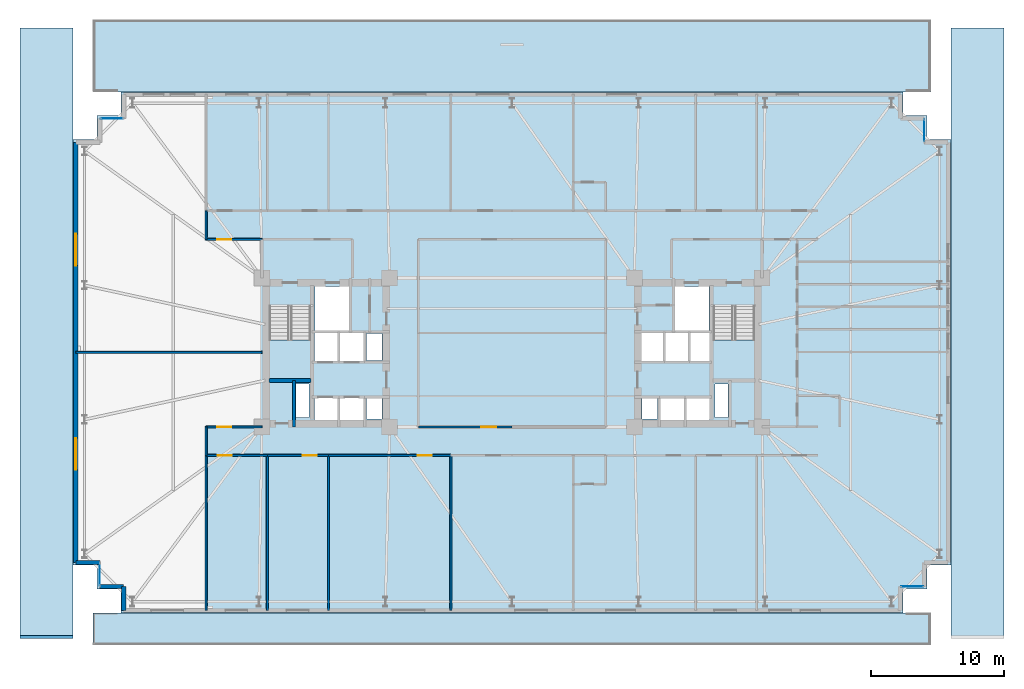
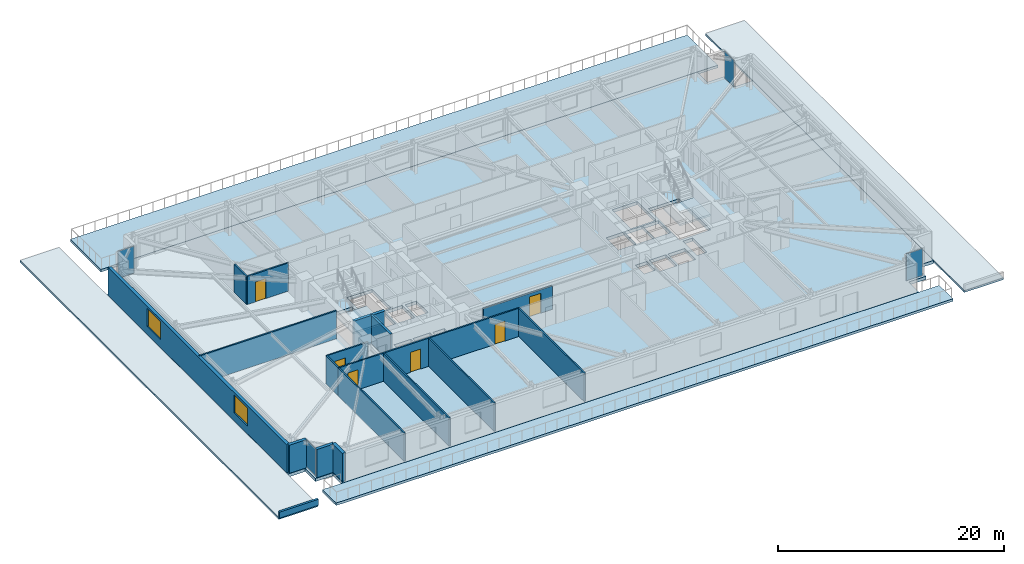
# One storey, part 11 of 21: 20 walls, 7 slabs, 6 doors, 4 plates, 2 windows, 8 openings, 6 elements without a shape of their own.
"""IFC4 building model written with IfcOpenShell, lengths in metres."""

import ifcopenshell
import ifcopenshell.guid

model = None  # the IFC model being written
_history = None  # IfcOwnerHistory: only IFC2X3 demands one
_inside = {}  # id of a spatial element -> (the spatial element, [elements in it])
_under = {}  # id of a project, library or spatial element -> (it, [spatial elements below it])
_declared = {}  # id of a project -> (the project, [libraries it declares])
_typed = {}  # id of a type object -> (the type object, [elements of that type])
_made_of = {}  # id of a material, layer set ... -> (it, [elements and type objects made of it])


def new_model(schema):
    """Start an empty IFC model of exactly this schema.

    Asked for "IFC4X3", IfcOpenShell would pick the latest addendum, in which some entities
    have other attributes; the version numbers below select the first issue.
    IFC2X3 requires an IfcOwnerHistory on every rooted entity: one is made here for all.
    """
    global model, _history
    if schema == "IFC4X3":
        model = ifcopenshell.file(schema_version=(4, 3, 0, 0))
    else:
        model = ifcopenshell.file(schema=schema)
    _inside.clear()
    _under.clear()
    _declared.clear()
    _typed.clear()
    _made_of.clear()
    _history = None
    if model.schema == "IFC2X3":
        org = make("IfcOrganization", Name="unknown")
        user = make(
            "IfcPersonAndOrganization",
            ThePerson=make("IfcPerson", FamilyName="unknown"),
            TheOrganization=org,
        )
        app = make(
            "IfcApplication",
            ApplicationDeveloper=org,
            Version="unknown",
            ApplicationFullName="unknown",
            ApplicationIdentifier="unknown",
        )
        _history = make(
            "IfcOwnerHistory",
            OwningUser=user,
            OwningApplication=app,
            ChangeAction="ADDED",
            CreationDate=0,
        )
    return model


def make(cls, **values):
    """One entity of the class cls with the attributes given. An attribute that is None is left unset."""
    return model.create_entity(
        cls, **{name: value for name, value in values.items() if value is not None}
    )


def rooted(cls, **values):
    """An entity with a GlobalId (a new one), such as an element, a storey or a relation."""
    return make(cls, GlobalId=ifcopenshell.guid.new(), OwnerHistory=_history, **values)


def si_unit(unit_type, name, prefix=None):
    """IfcSIUnit, for example si_unit("LENGTHUNIT", "METRE", prefix="MILLI")."""
    return make("IfcSIUnit", UnitType=unit_type, Prefix=prefix, Name=name)


def assignment(units):
    """IfcUnitAssignment: the units of a project."""
    return None if units is None else make("IfcUnitAssignment", Units=units)


def point(xyz):
    """IfcCartesianPoint."""
    return None if xyz is None else make("IfcCartesianPoint", Coordinates=xyz)


def direction(xyz):
    """IfcDirection."""
    return None if xyz is None else make("IfcDirection", DirectionRatios=xyz)


def frame(location, z_axis=None, x_axis=None):
    """IfcAxis2Placement3D, a coordinate frame: its origin and axes. An axis left out is left unset."""
    return make(
        "IfcAxis2Placement3D",
        Location=point(location),
        Axis=direction(z_axis),
        RefDirection=direction(x_axis),
    )


def frame_2d(location, x_axis=None):
    """IfcAxis2Placement2D, a coordinate frame in the plane: its origin and x axis."""
    return make(
        "IfcAxis2Placement2D", Location=point(location), RefDirection=direction(x_axis)
    )


def origin():
    """The frame at (0, 0, 0) with its axes left unset."""
    return frame((0.0, 0.0, 0.0))


def origin_2d():
    """The frame at (0, 0) in the plane with its x axis left unset."""
    return frame_2d((0.0, 0.0))


def place(relative_to, where):
    """IfcLocalPlacement: puts the frame where relative to a parent placement (None: the world)."""
    return make(
        "IfcLocalPlacement", PlacementRelTo=relative_to, RelativePlacement=where
    )


def context(
    kind, dimensions, precision=None, world=None, true_north=None, identifier=None
):
    """IfcGeometricRepresentationContext, for example the 3D "Model" context."""
    return make(
        "IfcGeometricRepresentationContext",
        ContextIdentifier=identifier,
        ContextType=kind,
        CoordinateSpaceDimension=dimensions,
        Precision=precision,
        WorldCoordinateSystem=world,
        TrueNorth=true_north,
    )


def subcontext(parent, identifier, kind, view, scale=None):
    """IfcGeometricRepresentationSubContext, for example "Body" below "Model"."""
    return make(
        "IfcGeometricRepresentationSubContext",
        ContextIdentifier=identifier,
        ContextType=kind,
        ParentContext=parent,
        TargetScale=scale,
        TargetView=view,
    )


def project(units=None, contexts=None):
    """IfcProject with its units and contexts."""
    return rooted(
        "IfcProject",
        Name="project",
        RepresentationContexts=contexts,
        UnitsInContext=assignment(units),
    )


def spatial(cls, under=None, at=None, **own):
    """A site, building, storey or space (cls), placed at a placement, below another one or the project."""
    s = rooted(cls, ObjectPlacement=at, **own)
    if under is not None:
        _under.setdefault(under.id(), (under, []))[1].append(s)
    return s


def polyline(points):
    """IfcPolyline through the points."""
    return make("IfcPolyline", Points=[point(p) for p in points])


def profile(cls, at=None, kind="AREA", **sizes):
    """A parametric profile (cls). Its sizes go by their IFC names, for example OverallWidth=200.0."""
    return make(cls, ProfileType=kind, Position=at, **sizes)


def rectangle(**sizes):
    """IfcRectangleProfileDef."""
    return profile("IfcRectangleProfileDef", **sizes)


def outline(outer, holes=None, kind="AREA"):
    """IfcArbitraryClosedProfileDef: a profile drawn as a closed curve; with holes, ...WithVoids."""
    if holes is None:
        return make("IfcArbitraryClosedProfileDef", ProfileType=kind, OuterCurve=outer)
    return make(
        "IfcArbitraryProfileDefWithVoids",
        ProfileType=kind,
        OuterCurve=outer,
        InnerCurves=holes,
    )


def extrude(swept, where, along, depth):
    """IfcExtrudedAreaSolid: the profile swept, set in the frame where, extruded along a direction by depth."""
    return make(
        "IfcExtrudedAreaSolid",
        SweptArea=swept,
        Position=where,
        ExtrudedDirection=direction(along),
        Depth=depth,
    )


def shape(context_of_items, identifier, shape_type, items):
    """IfcShapeRepresentation: the items that make up one representation, for example the "Body"."""
    return make(
        "IfcShapeRepresentation",
        ContextOfItems=context_of_items,
        RepresentationIdentifier=identifier,
        RepresentationType=shape_type,
        Items=items,
    )


def material(Name=None, Category=None):
    """IfcMaterial."""
    return make("IfcMaterial", Name=Name, Category=Category)


def layer(
    of_material, thickness, ventilated=None, Name=None, Category=None, Priority=None
):
    """IfcMaterialLayer: one layer of a wall or slab, of a material (None: an air gap)."""
    return make(
        "IfcMaterialLayer",
        Material=of_material,
        LayerThickness=thickness,
        IsVentilated=ventilated,
        Name=Name,
        Category=Category,
        Priority=Priority,
    )


def layer_set(layers, Name=None):
    """IfcMaterialLayerSet."""
    return make("IfcMaterialLayerSet", MaterialLayers=layers, LayerSetName=Name)


def made_of(thing, what):
    """Note that an element or type object is made of a material, layer set ...; save() writes the relation."""
    if what is not None:
        _made_of.setdefault(what.id(), (what, []))[1].append(thing)
    return thing


def type_object(cls, material=None, **own):
    """A type object (cls), such as IfcWallType, which elements share."""
    return made_of(rooted(cls, **own), material)


def element(
    cls,
    number,
    at=None,
    inside=None,
    cuts=None,
    type_object=None,
    material=None,
    context=None,
    identifier="Body",
    shape_type=None,
    held_by="IfcProductDefinitionShape",
    body=None,
    shapes=None,
    **own,
):
    """One element of the class cls, such as IfcWall. Its Tag is "e" and its number.

    at: its placement. inside: the storey or other place that contains it. cuts: it is an
    opening in that element (IfcRelVoidsElement). A single representation is given by context,
    identifier, shape_type and body (its items); several are given by shapes. held_by: the class
    of the entity that holds the representations. save() writes the other relations.
    """
    e = rooted(cls, Tag="e%d" % number, ObjectPlacement=at, **own)
    if body is not None:
        shapes = [shape(context, identifier, shape_type, body)]
    if shapes is not None:
        e.Representation = make(held_by, Representations=shapes)
    if inside is not None:
        _inside.setdefault(inside.id(), (inside, []))[1].append(e)
    if cuts is not None:
        rooted(
            "IfcRelVoidsElement", RelatingBuildingElement=cuts, RelatedOpeningElement=e
        )
    if type_object is not None:
        _typed.setdefault(type_object.id(), (type_object, []))[1].append(e)
    return made_of(e, material)


def fill(opening, filler):
    """IfcRelFillsElement: the door or window that sits in an opening."""
    return rooted(
        "IfcRelFillsElement",
        RelatingOpeningElement=opening,
        RelatedBuildingElement=filler,
    )


def aggregate(whole, parts):
    """IfcRelAggregates: a whole, such as a stair, and the parts it consists of."""
    return rooted("IfcRelAggregates", RelatingObject=whole, RelatedObjects=parts)


def save(model, path):
    """Write the relations noted so far, then the file.

    IfcRelAggregates (storeys below a building ...), IfcRelContainedInSpatialStructure (elements
    in a storey), IfcRelDefinesByType, IfcRelAssociatesMaterial and IfcRelDeclares: one each for
    every whole, place, type object, material and project.
    """
    for whole, parts in _under.values():
        aggregate(whole, parts)
    for where, things in _inside.values():
        rooted(
            "IfcRelContainedInSpatialStructure",
            RelatedElements=things,
            RelatingStructure=where,
        )
    for kind, things in _typed.values():
        rooted("IfcRelDefinesByType", RelatedObjects=things, RelatingType=kind)
    for what, things in _made_of.values():
        rooted("IfcRelAssociatesMaterial", RelatedObjects=things, RelatingMaterial=what)
    for by, libraries in _declared.values():
        rooted("IfcRelDeclares", RelatingContext=by, RelatedDefinitions=libraries)
    model.write(path)


model = new_model("IFC4")

# Units and contexts
model_context = context("Model", 3, precision=1e-05, world=origin(), true_north=direction((0.0, 1.0)))
body_context = subcontext(model_context, "Body", "Model", "MODEL_VIEW")
ifc_project = project(units=[si_unit("LENGTHUNIT", "METRE"), si_unit("AREAUNIT", "SQUARE_METRE"), si_unit("VOLUMEUNIT", "CUBIC_METRE"), si_unit("PLANEANGLEUNIT", "RADIAN"), si_unit("MASSUNIT", "GRAM", prefix="KILO")], contexts=[model_context])

# Site, building, storey
site_placement = place(None, origin())
site = spatial("IfcSite", under=ifc_project, at=site_placement, CompositionType="ELEMENT")
building_placement = place(site_placement, origin())
building = spatial("IfcBuilding", under=site, at=building_placement, Name="Qobustan Lattice House", CompositionType="ELEMENT")
storey_placement = place(building_placement, frame((0.0, 0.0, 27.0)))
storey = spatial("IfcBuildingStorey", under=building, at=storey_placement, Name="L06", CompositionType="ELEMENT", Elevation=27.0)

# Curtain wall, plate
ifc_material_1 = material(Name="Anodised aluminium and low-E glazing", Category="aluminium")
ifc_layer_1 = layer(ifc_material_1, 0.219970703125)
ifc_layer_set_1 = layer_set([ifc_layer_1], Name="Anodised aluminium and low-E glazing")
curtain_wall_type = type_object("IfcCurtainWallType", Name="CW-FAC-01", PredefinedType="USERDEFINED", material=ifc_layer_set_1)
curtain_wall_1_placement = place(storey_placement, origin())
curtain_wall_1 = element("IfcCurtainWall", 1, at=curtain_wall_1_placement, inside=storey, type_object=curtain_wall_type, Name="L06 serrated corner faceted glazing 3", ObjectType="CURTAIN WALL", PredefinedType="USERDEFINED")
ifc_material_2 = material(Name="Clear low-E laminated glass", Category="glass")
ifc_layer_2 = layer(ifc_material_2, 0.031982421875)
ifc_layer_set_2 = layer_set([ifc_layer_2], Name="Clear low-E laminated glass")
plate_type = type_object("IfcPlateType", Name="CWP-VISION-32", PredefinedType="CURTAIN_PANEL", material=ifc_layer_set_2)
plate_1_placement = place(storey_placement, frame((-31.0, -16.699951171875, 0.06494140625), z_axis=(0.0, 0.0, 1.0), x_axis=(0.0, 1.0, 0.0)))
plate_1 = element("IfcPlate", 2, at=plate_1_placement, type_object=plate_type, Name="CW-F1 panel 1.1", PredefinedType="CURTAIN_PANEL", context=body_context, shape_type="SweptSolid", body=[
    extrude(rectangle(XDim=1.659912109375, YDim=0.031982421875, at=origin_2d()), origin(), (0.0, 0.0, 1.0), 2.905029296875),
])
aggregate(curtain_wall_1, [plate_1])

curtain_wall_2_placement = place(storey_placement, origin())
curtain_wall_2 = element("IfcCurtainWall", 3, at=curtain_wall_2_placement, inside=storey, type_object=curtain_wall_type, Name="L06 serrated corner faceted glazing 8", ObjectType="CURTAIN WALL", PredefinedType="USERDEFINED")
plate_2_placement = place(storey_placement, frame((-30.10009765625, 17.60009765625, 0.06494140625), z_axis=(0.0, 0.0, 1.0), x_axis=(1.0, 0.0, 0.0)))
plate_2 = element("IfcPlate", 4, at=plate_2_placement, type_object=plate_type, Name="CW-F1 panel 1.1", PredefinedType="CURTAIN_PANEL", context=body_context, shape_type="SweptSolid", body=[
    extrude(rectangle(XDim=1.659912109375, YDim=0.031982421875, at=origin_2d()), origin(), (0.0, 0.0, 1.0), 2.905029296875),
])
aggregate(curtain_wall_2, [plate_2])

curtain_wall_3_placement = place(storey_placement, origin())
curtain_wall_3 = element("IfcCurtainWall", 5, at=curtain_wall_3_placement, inside=storey, type_object=curtain_wall_type, Name="L06 serrated corner faceted glazing 13", ObjectType="CURTAIN WALL", PredefinedType="USERDEFINED")
plate_3_placement = place(storey_placement, frame((31.0, 16.699951171875, 0.06494140625), z_axis=(0.0, 0.0, 1.0), x_axis=(0.0, -1.0, 0.0)))
plate_3 = element("IfcPlate", 6, at=plate_3_placement, type_object=plate_type, Name="CW-F1 panel 1.1", PredefinedType="CURTAIN_PANEL", context=body_context, shape_type="SweptSolid", body=[
    extrude(rectangle(XDim=1.659912109375, YDim=0.031982421875, at=origin_2d()), origin(), (0.0, 0.0, 1.0), 2.905029296875),
])
aggregate(curtain_wall_3, [plate_3])

curtain_wall_4_placement = place(storey_placement, origin())
curtain_wall_4 = element("IfcCurtainWall", 7, at=curtain_wall_4_placement, inside=storey, type_object=curtain_wall_type, Name="L06 serrated corner faceted glazing 18", ObjectType="CURTAIN WALL", PredefinedType="USERDEFINED")
plate_4_placement = place(storey_placement, frame((30.10009765625, -17.60009765625, 0.06494140625), z_axis=(0.0, 0.0, 1.0), x_axis=(-1.0, 0.0, 0.0)))
plate_4 = element("IfcPlate", 8, at=plate_4_placement, type_object=plate_type, Name="CW-F1 panel 1.1", PredefinedType="CURTAIN_PANEL", context=body_context, shape_type="SweptSolid", body=[
    extrude(rectangle(XDim=1.659912109375, YDim=0.031982421875, at=origin_2d()), origin(), (0.0, 0.0, 1.0), 2.905029296875),
])
aggregate(curtain_wall_4, [plate_4])

# Slab
ifc_material_3 = material(Name="Concrete C50/60", Category="concrete")
ifc_layer_3 = layer(ifc_material_3, 0.340087890625)
ifc_layer_set_3 = layer_set([ifc_layer_3], Name="Concrete C50/60")
slab_type_1 = type_object("IfcSlabType", Name="SLB-FLR-340", PredefinedType="FLOOR", material=ifc_layer_set_3)
slab_1_placement = place(storey_placement, frame((0.0, 0.0, -0.340087890625)))
element("IfcSlab", 9, at=slab_1_placement, inside=storey, type_object=slab_type_1, Name="L06 structural floor slab", PredefinedType="FLOOR", context=body_context, shape_type="SweptSolid", body=[
    extrude(outline(polyline([(-29.39990234375, -19.60009765625), (29.39990234375, -19.60009765625), (29.39990234375, -17.800048828125), (31.199951171875, -17.800048828125), (31.199951171875, -16.0), (33.0, -16.0), (33.0, 16.0), (31.199951171875, 16.0), (31.199951171875, 17.800048828125), (29.39990234375, 17.800048828125), (29.39990234375, 19.60009765625), (-29.39990234375, 19.60009765625), (-29.39990234375, 17.800048828125), (-31.199951171875, 17.800048828125), (-31.199951171875, 16.0), (-33.0, 16.0), (-33.0, -16.0), (-31.199951171875, -16.0), (-31.199951171875, -17.800048828125), (-29.39990234375, -17.800048828125), (-29.39990234375, -19.60009765625)]), holes=[polyline([(-18.25, -2.050048828125), (-18.25, 3.489990234375), (-15.1298828125, 3.489990234375), (-15.1298828125, -2.050048828125), (-18.25, -2.050048828125)]), polyline([(15.1298828125, -2.050048828125), (15.1298828125, 3.489990234375), (18.25, 3.489990234375), (18.25, -2.050048828125), (15.1298828125, -2.050048828125)]), polyline([(-14.820068359375, 1.64990234375), (-14.820068359375, 4.9599609375), (-12.25, 4.9599609375), (-12.25, 1.64990234375), (-14.820068359375, 1.64990234375)]), polyline([(12.25, 1.64990234375), (12.25, 4.9599609375), (14.820068359375, 4.9599609375), (14.820068359375, 1.64990234375), (12.25, 1.64990234375)]), polyline([(-16.260009765625, -4.8798828125), (-16.260009765625, -2.360107421875), (-15.260009765625, -2.360107421875), (-15.260009765625, -4.8798828125), (-16.260009765625, -4.8798828125)]), polyline([(15.260009765625, -4.8798828125), (15.260009765625, -2.360107421875), (16.260009765625, -2.360107421875), (16.260009765625, -4.8798828125), (15.260009765625, -4.8798828125)]), polyline([(-14.85009765625, -5.35009765625), (-14.85009765625, -3.419921875), (-13.1201171875, -3.419921875), (-13.1201171875, -5.35009765625), (-14.85009765625, -5.35009765625)]), polyline([(-12.919921875, -5.35009765625), (-12.919921875, -3.419921875), (-11.179931640625, -3.419921875), (-11.179931640625, -5.35009765625), (-12.919921875, -5.35009765625)]), polyline([(-14.85009765625, -0.679931640625), (-14.85009765625, 1.47998046875), (-13.1201171875, 1.47998046875), (-13.1201171875, -0.679931640625), (-14.85009765625, -0.679931640625)]), polyline([(-12.919921875, -0.679931640625), (-12.919921875, 1.47998046875), (-11.179931640625, 1.47998046875), (-11.179931640625, -0.679931640625), (-12.919921875, -0.679931640625)]), polyline([(-10.93994140625, -5.0), (-10.93994140625, -3.47998046875), (-9.760009765625, -3.47998046875), (-9.760009765625, -5.0), (-10.93994140625, -5.0)]), polyline([(-10.93994140625, -0.6201171875), (-10.93994140625, 1.419921875), (-9.760009765625, 1.419921875), (-9.760009765625, -0.6201171875), (-10.93994140625, -0.6201171875)]), polyline([(11.179931640625, -5.35009765625), (11.179931640625, -3.419921875), (12.919921875, -3.419921875), (12.919921875, -5.35009765625), (11.179931640625, -5.35009765625)]), polyline([(13.1201171875, -5.35009765625), (13.1201171875, -3.419921875), (14.85009765625, -3.419921875), (14.85009765625, -5.35009765625), (13.1201171875, -5.35009765625)]), polyline([(9.760009765625, -5.0), (9.760009765625, -3.47998046875), (10.93994140625, -3.47998046875), (10.93994140625, -5.0), (9.760009765625, -5.0)]), polyline([(13.360107421875, -0.679931640625), (13.360107421875, 1.47998046875), (14.97998046875, 1.47998046875), (14.97998046875, -0.679931640625), (13.360107421875, -0.679931640625)]), polyline([(9.6201171875, -0.679931640625), (9.6201171875, 1.47998046875), (11.43994140625, 1.47998046875), (11.43994140625, -0.679931640625), (9.6201171875, -0.679931640625)]), polyline([(11.5, -0.679931640625), (11.5, 1.47998046875), (13.320068359375, 1.47998046875), (13.320068359375, -0.679931640625), (11.5, -0.679931640625)])]), origin(), (0.0, 0.0, 1.0), 0.340087890625),
])

# Stair, slab
ifc_material_4 = material(Name="Concrete C40/50", Category="concrete")
stair_type = type_object("IfcStairType", Name="STR-CORE-DOGLEG", PredefinedType="HALF_TURN_STAIR", material=ifc_material_4)
stair_1_placement = place(storey_placement, origin())
stair_1 = element("IfcStair", 10, at=stair_1_placement, inside=storey, type_object=stair_type, Name="L06 West protected exit stair ST-W1", PredefinedType="HALF_TURN_STAIR")
ifc_material_5 = material(Name="Concrete C40/50", Category="concrete")
ifc_layer_4 = layer(ifc_material_5, 0.199951171875)
ifc_layer_set_4 = layer_set([ifc_layer_4], Name="Concrete C40/50")
slab_type_2 = type_object("IfcSlabType", Name="SLB-LANDING-200", PredefinedType="LANDING", material=ifc_layer_set_4)
slab_2_placement = place(storey_placement, frame((0.0, 0.0, 1.47509765625)))
slab_2 = element("IfcSlab", 11, at=slab_2_placement, type_object=slab_type_2, Name="ST-W1 landing 1", PredefinedType="LANDING", context=body_context, shape_type="SweptSolid", body=[
    extrude(outline(polyline([(-18.25, 0.93505859375), (-18.25, -2.050048828125), (-15.1298828125, -2.050048828125), (-15.1298828125, 0.93505859375), (-18.25, 0.93505859375)])), origin(), (0.0, 0.0, 1.0), 0.199951171875),
])
aggregate(stair_1, [slab_2])

stair_2_placement = place(storey_placement, origin())
stair_2 = element("IfcStair", 12, at=stair_2_placement, inside=storey, type_object=stair_type, Name="L06 East protected exit stair ST-E1", PredefinedType="HALF_TURN_STAIR")
slab_3_placement = place(storey_placement, frame((0.0, 0.0, 1.47509765625)))
slab_3 = element("IfcSlab", 13, at=slab_3_placement, type_object=slab_type_2, Name="ST-E1 landing 1", PredefinedType="LANDING", context=body_context, shape_type="SweptSolid", body=[
    extrude(outline(polyline([(15.1298828125, 0.93505859375), (15.1298828125, -2.050048828125), (18.25, -2.050048828125), (18.25, 0.93505859375), (15.1298828125, 0.93505859375)])), origin(), (0.0, 0.0, 1.0), 0.199951171875),
])
aggregate(stair_2, [slab_3])

# Slabs
ifc_material_6 = material(Name="Concrete C40/50", Category="concrete")
ifc_layer_5 = layer(ifc_material_6, 0.2099609375)
ifc_layer_set_5 = layer_set([ifc_layer_5], Name="Concrete C40/50")
slab_type_3 = type_object("IfcSlabType", Name="SLB-ROOF-210", PredefinedType="ROOF", material=ifc_layer_set_5)
slab_4_placement = place(storey_placement, frame((0.0, 0.0, -0.2099609375)))
element("IfcSlab", 14, at=slab_4_placement, inside=storey, type_object=slab_type_3, Name="L06 W podium maintenance roof slab", PredefinedType="ROOF", context=body_context, shape_type="SweptSolid", body=[
    extrude(outline(polyline([(-37.0, -21.39990234375), (-33.0, -21.39990234375), (-33.0, 24.39990234375), (-37.0, 24.39990234375), (-37.0, -21.39990234375)])), origin(), (0.0, 0.0, 1.0), 0.2099609375),
])
slab_5_placement = place(storey_placement, frame((0.0, 0.0, -0.2099609375)))
element("IfcSlab", 15, at=slab_5_placement, inside=storey, type_object=slab_type_3, Name="L06 E podium maintenance roof slab", PredefinedType="ROOF", context=body_context, shape_type="SweptSolid", body=[
    extrude(outline(polyline([(33.0, -21.39990234375), (37.0, -21.39990234375), (37.0, 24.39990234375), (33.0, 24.39990234375), (33.0, -21.39990234375)])), origin(), (0.0, 0.0, 1.0), 0.2099609375),
])
ifc_material_7 = material(Name="Concrete C40/50", Category="concrete")
ifc_layer_6 = layer(ifc_material_7, 0.27001953125)
ifc_layer_set_6 = layer_set([ifc_layer_6], Name="Concrete C40/50")
slab_type_4 = type_object("IfcSlabType", Name="SLB-TER-270", PredefinedType="FLOOR", material=ifc_layer_set_6)
slab_6_placement = place(storey_placement, frame((0.0, 0.0, -0.27001953125)))
element("IfcSlab", 16, at=slab_6_placement, inside=storey, type_object=slab_type_4, Name="L06 south chahar-bagh garden terrace slab", PredefinedType="FLOOR", context=body_context, shape_type="SweptSolid", body=[
    extrude(outline(polyline([(-31.5, -22.0), (31.5, -22.0), (31.5, -19.60009765625), (-31.5, -19.60009765625), (-31.5, -22.0)])), origin(), (0.0, 0.0, 1.0), 0.27001953125),
])
slab_7_placement = place(storey_placement, frame((0.0, 0.0, -0.27001953125)))
element("IfcSlab", 17, at=slab_7_placement, inside=storey, type_object=slab_type_4, Name="L06 north chahar-bagh garden terrace slab", PredefinedType="FLOOR", context=body_context, shape_type="SweptSolid", body=[
    extrude(outline(polyline([(-31.5, 19.60009765625), (31.5, 19.60009765625), (31.5, 25.0), (-31.5, 25.0), (-31.5, 19.60009765625)])), origin(), (0.0, 0.0, 1.0), 0.27001953125),
])

# Walls
ifc_material_8 = material(Name="Concrete C50/60", Category="concrete")
ifc_layer_7 = layer(ifc_material_8, 0.280029296875)
ifc_layer_set_7 = layer_set([ifc_layer_7], Name="Concrete C50/60")
wall_type_1 = type_object("IfcWallType", Name="WAL-CORE-SPINE-280", PredefinedType="SHEAR", material=ifc_layer_set_7)
wall_1_placement = place(storey_placement, frame((-18.280029296875, -2.110107421875, 0.0), z_axis=(0.0, 0.0, 1.0), x_axis=(1.0, 0.0, 0.0)))
element("IfcWall", 18, at=wall_1_placement, inside=storey, type_object=wall_type_1, Name="L06 split-core shear wall CW-ST", PredefinedType="SHEAR", context=body_context, shape_type="SweptSolid", body=[
    extrude(rectangle(XDim=3.179931640625, YDim=0.300048828125, at=frame_2d((1.58984375, 0.0))), origin(), (0.0, 0.0, 1.0), 3.034912109375),
])
ifc_material_9 = material(Name="Precast concrete C40/50", Category="concrete")
ifc_layer_8 = layer(ifc_material_9, 0.320068359375)
ifc_layer_set_8 = layer_set([ifc_layer_8], Name="Precast concrete C40/50")
wall_type_2 = type_object("IfcWallType", Name="WAL-EXT-STONE-320", PredefinedType="SOLIDWALL", material=ifc_layer_set_8)
wall_2_placement = place(storey_placement, frame((-29.199951171875, -19.39990234375, 0.0), z_axis=(0.0, 0.0, 1.0), x_axis=(0.0, 1.0, 0.0)))
element("IfcWall", 19, at=wall_2_placement, inside=storey, type_object=wall_type_2, Name="L06 exterior limestone-clad wall 1", PredefinedType="SOLIDWALL", context=body_context, shape_type="SweptSolid", body=[
    extrude(rectangle(XDim=1.7998046875, YDim=0.320068359375, at=frame_2d((0.89990234375, 0.0))), origin(), (0.0, 0.0, 1.0), 3.034912109375),
])
for number, where, z_axis, x_axis, name in (
    (20, (-29.199951171875, -17.60009765625, 0.0), (0.0, 0.0, 1.0), (-1.0, 0.0, 0.0), "L06 exterior limestone-clad wall 2"),
    (21, (-31.0, -15.800048828125, 0.0), (0.0, 0.0, 1.0), (-1.0, 0.0, 0.0), "L06 exterior limestone-clad wall 4"),
):
    element("IfcWall", number, at=place(storey_placement, frame(where, z_axis=z_axis, x_axis=x_axis)), inside=storey, type_object=wall_type_2, Name=name, PredefinedType="SOLIDWALL", context=body_context, shape_type="SweptSolid", body=[
        extrude(rectangle(XDim=1.800048828125, YDim=0.320068359375, at=frame_2d((0.89990234375, 0.0))), origin(), (0.0, 0.0, 1.0), 3.034912109375),
    ])

# Wall, openings, windows
wall_3_placement = place(storey_placement, frame((-32.800048828125, -15.800048828125, 0.0), z_axis=(0.0, 0.0, 1.0), x_axis=(0.0, 1.0, 0.0)))
wall_3 = element("IfcWall", 22, at=wall_3_placement, inside=storey, type_object=wall_type_2, Name="L06 exterior limestone-clad wall 5", PredefinedType="SOLIDWALL", context=body_context, shape_type="SweptSolid", body=[
    extrude(rectangle(XDim=31.60009765625, YDim=0.320068359375, at=frame_2d((15.800048828125, 0.0))), origin(), (0.0, 0.0, 1.0), 3.034912109375),
])
opening_1_placement = place(wall_3_placement, frame((6.9599609375, 0.0, 0.85009765625)))
opening_1 = element("IfcOpeningElement", 23, at=opening_1_placement, cuts=wall_3, Name="Opening WN-10", PredefinedType="OPENING", context=body_context, shape_type="SweptSolid", body=[
    extrude(rectangle(XDim=2.39990234375, YDim=1.949951171875, at=frame_2d((1.199951171875, 0.97509765625))), frame((0.0, 0.169921875, 0.0), z_axis=(0.0, -1.0, 0.0), x_axis=(1.0, 0.0, 0.0)), (0.0, 0.0, 1.0), 0.340087890625),
])
opening_2_placement = place(wall_3_placement, frame((22.320068359375, 0.0, 0.85009765625)))
opening_2 = element("IfcOpeningElement", 24, at=opening_2_placement, cuts=wall_3, Name="Opening WN-10", PredefinedType="OPENING", context=body_context, shape_type="SweptSolid", body=[
    extrude(rectangle(XDim=2.39990234375, YDim=1.949951171875, at=frame_2d((1.199951171875, 0.97509765625))), frame((0.0, 0.169921875, 0.0), z_axis=(0.0, -1.0, 0.0), x_axis=(1.0, 0.0, 0.0)), (0.0, 0.0, 1.0), 0.340087890625),
])
ifc_material_10 = material(Name="Double-glazed low-E aluminium window", Category="aluminium")
window_type = type_object("IfcWindowType", Name="WIN-LNG-2400x1950", PartitioningType="SINGLE_PANEL", PredefinedType="WINDOW", material=ifc_material_10)
window_1_placement = place(opening_1_placement, origin())
window_1 = element("IfcWindow", 25, at=window_1_placement, inside=storey, type_object=window_type, Name="L06 Chahar-bagh south lounge window", OverallHeight=1.949951171875, OverallWidth=2.39990234375, PartitioningType="SINGLE_PANEL", PredefinedType="WINDOW", context=body_context, shape_type="SweptSolid", body=[
    extrude(rectangle(XDim=2.39990234375, YDim=1.949951171875, at=frame_2d((1.199951171875, 0.97509765625))), frame((0.0, 0.030029296875, 0.0), z_axis=(0.0, -1.0, 0.0), x_axis=(1.0, 0.0, 0.0)), (0.0, 0.0, 1.0), 0.06005859375),
])
fill(opening_1, window_1)
window_2_placement = place(opening_2_placement, origin())
window_2 = element("IfcWindow", 26, at=window_2_placement, inside=storey, type_object=window_type, Name="L06 Chahar-bagh north lounge window", OverallHeight=1.949951171875, OverallWidth=2.39990234375, PartitioningType="SINGLE_PANEL", PredefinedType="WINDOW", context=body_context, shape_type="SweptSolid", body=[
    extrude(rectangle(XDim=2.39990234375, YDim=1.949951171875, at=frame_2d((1.199951171875, 0.97509765625))), frame((0.0, 0.030029296875, 0.0), z_axis=(0.0, -1.0, 0.0), x_axis=(1.0, 0.0, 0.0)), (0.0, 0.0, 1.0), 0.06005859375),
])
fill(opening_2, window_2)

# Wall
ifc_material_11 = material(Name="Precast concrete C40/50", Category="concrete")
ifc_layer_9 = layer(ifc_material_11, 0.219970703125)
ifc_layer_set_9 = layer_set([ifc_layer_9], Name="Precast concrete C40/50")
wall_type_3 = type_object("IfcWallType", Name="WAL-PARAPET-220", PredefinedType="PARAPET", material=ifc_layer_set_9)
wall_4_placement = place(storey_placement, frame((-37.0, -21.39990234375, 0.0), z_axis=(0.0, 0.0, 1.0), x_axis=(1.0, 0.0, 0.0)))
element("IfcWall", 27, at=wall_4_placement, inside=storey, type_object=wall_type_3, Name="L06 maintenance roof parapet 1", PredefinedType="PARAPET", context=body_context, shape_type="SweptSolid", body=[
    extrude(rectangle(XDim=4.0, YDim=0.219970703125, at=frame_2d((2.0, 0.0))), origin(), (0.0, 0.0, 1.0), 0.64990234375),
])

# Wall, opening, door
ifc_material_12 = material(Name="Acoustic twin-stud gypsum partition", Category="gypsum")
ifc_layer_10 = layer(ifc_material_12, 0.14990234375)
ifc_layer_set_10 = layer_set([ifc_layer_10], Name="Acoustic twin-stud gypsum partition")
wall_type_4 = type_object("IfcWallType", Name="WAL-PART-150", PredefinedType="PARTITIONING", material=ifc_layer_set_10)
wall_5_placement = place(storey_placement, frame((-18.800048828125, 8.5, 0.0), z_axis=(0.0, 0.0, 1.0), x_axis=(-1.0, 0.0, 0.0)))
wall_5 = element("IfcWall", 28, at=wall_5_placement, inside=storey, type_object=wall_type_4, Name="L06 interior partition 38", PredefinedType="PARTITIONING", context=body_context, shape_type="SweptSolid", body=[
    extrude(rectangle(XDim=4.199951171875, YDim=0.14990234375, at=frame_2d((2.10009765625, 0.0))), origin(), (0.0, 0.0, 1.0), 3.034912109375),
])
opening_3_placement = place(wall_5_placement, frame((2.3212890625, 0.0, 0.0)))
opening_3 = element("IfcOpeningElement", 29, at=opening_3_placement, cuts=wall_5, Name="Opening ID-02", PredefinedType="OPENING", context=body_context, shape_type="SweptSolid", body=[
    extrude(rectangle(XDim=1.050048828125, YDim=2.14990234375, at=frame_2d((0.52490234375, 1.074951171875))), frame((0.0, 0.0849609375, 0.0), z_axis=(0.0, -1.0, 0.0), x_axis=(1.0, 0.0, 0.0)), (0.0, 0.0, 1.0), 0.169921875),
])
ifc_material_13 = material(Name="Persian walnut timber and steel frame door", Category="steel")
door_type_1 = type_object("IfcDoorType", Name="DOR-STUDY-1050x2150", OperationType="NOTDEFINED", PredefinedType="DOOR", material=ifc_material_13)
door_1_placement = place(opening_3_placement, origin())
door_1 = element("IfcDoor", 30, at=door_1_placement, inside=storey, type_object=door_type_1, Name="L06 North-west floor corridor to Chahar-bagh north lounge door", OperationType="SINGLE_SWING_RIGHT", OverallHeight=2.14990234375, OverallWidth=1.050048828125, PredefinedType="DOOR", context=body_context, shape_type="SweptSolid", body=[
    extrude(rectangle(XDim=1.050048828125, YDim=2.14990234375, at=frame_2d((0.52490234375, 1.074951171875))), frame((0.0, 0.02490234375, 0.0), z_axis=(0.0, -1.0, 0.0), x_axis=(1.0, 0.0, 0.0)), (0.0, 0.0, 1.0), 0.050048828125),
])
fill(opening_3, door_1)

# Wall
wall_6_placement = place(storey_placement, frame((-23.0, 8.5, 0.0), z_axis=(0.0, 0.0, 1.0), x_axis=(0.0, 1.0, 0.0)))
element("IfcWall", 31, at=wall_6_placement, inside=storey, type_object=wall_type_4, Name="L06 interior partition 39", PredefinedType="PARTITIONING", context=body_context, shape_type="SweptSolid", body=[
    extrude(rectangle(XDim=2.14990234375, YDim=0.14990234375, at=frame_2d((1.074951171875, 0.0))), origin(), (0.0, 0.0, 1.0), 3.034912109375),
])

# Wall, opening, door
wall_7_placement = place(storey_placement, frame((-23.0, -5.60009765625, 0.0), z_axis=(0.0, 0.0, 1.0), x_axis=(1.0, 0.0, 0.0)))
wall_7 = element("IfcWall", 32, at=wall_7_placement, inside=storey, type_object=wall_type_4, Name="L06 interior partition 53", PredefinedType="PARTITIONING", context=body_context, shape_type="SweptSolid", body=[
    extrude(rectangle(XDim=4.199951171875, YDim=0.14990234375, at=frame_2d((2.10009765625, 0.0))), origin(), (0.0, 0.0, 1.0), 3.034912109375),
])
opening_4_placement = place(wall_7_placement, frame((0.82861328125, 0.0, 0.0)))
opening_4 = element("IfcOpeningElement", 33, at=opening_4_placement, cuts=wall_7, Name="Opening ID-02", PredefinedType="OPENING", context=body_context, shape_type="SweptSolid", body=[
    extrude(rectangle(XDim=1.050048828125, YDim=2.14990234375, at=frame_2d((0.52490234375, 1.074951171875))), frame((0.0, 0.0849609375, 0.0), z_axis=(0.0, -1.0, 0.0), x_axis=(1.0, 0.0, 0.0)), (0.0, 0.0, 1.0), 0.169921875),
])
door_2_placement = place(opening_4_placement, origin())
door_2 = element("IfcDoor", 34, at=door_2_placement, inside=storey, type_object=door_type_1, Name="L06 South-west floor corridor to Chahar-bagh south lounge door", OperationType="SINGLE_SWING_RIGHT", OverallHeight=2.14990234375, OverallWidth=1.050048828125, PredefinedType="DOOR", context=body_context, shape_type="SweptSolid", body=[
    extrude(rectangle(XDim=1.050048828125, YDim=2.14990234375, at=frame_2d((0.52490234375, 1.074951171875))), frame((0.0, 0.02490234375, 0.0), z_axis=(0.0, -1.0, 0.0), x_axis=(1.0, 0.0, 0.0)), (0.0, 0.0, 1.0), 0.050048828125),
])
fill(opening_4, door_2)

# Wall
wall_8_placement = place(storey_placement, frame((-23.0, -7.75, 0.0), z_axis=(0.0, 0.0, 1.0), x_axis=(0.0, 1.0, 0.0)))
element("IfcWall", 35, at=wall_8_placement, inside=storey, type_object=wall_type_4, Name="L06 interior partition 54", PredefinedType="PARTITIONING", context=body_context, shape_type="SweptSolid", body=[
    extrude(rectangle(XDim=2.14990234375, YDim=0.14990234375, at=frame_2d((1.074951171875, 0.0))), origin(), (0.0, 0.0, 1.0), 3.034912109375),
])

# Wall, opening, door
wall_9_placement = place(storey_placement, frame((-18.39990234375, -7.75, 0.0), z_axis=(0.0, 0.0, 1.0), x_axis=(-1.0, 0.0, 0.0)))
wall_9 = element("IfcWall", 36, at=wall_9_placement, inside=storey, type_object=wall_type_4, Name="L06 interior partition 55", PredefinedType="PARTITIONING", context=body_context, shape_type="SweptSolid", body=[
    extrude(rectangle(XDim=4.60009765625, YDim=0.14990234375, at=frame_2d((2.300048828125, 0.0))), origin(), (0.0, 0.0, 1.0), 3.034912109375),
])
opening_5_placement = place(wall_9_placement, frame((2.67138671875, 0.0, 0.0)))
opening_5 = element("IfcOpeningElement", 37, at=opening_5_placement, cuts=wall_9, Name="Opening ID-02", PredefinedType="OPENING", context=body_context, shape_type="SweptSolid", body=[
    extrude(rectangle(XDim=1.050048828125, YDim=2.14990234375, at=frame_2d((0.52490234375, 1.074951171875))), frame((0.0, 0.0849609375, 0.0), z_axis=(0.0, -1.0, 0.0), x_axis=(1.0, 0.0, 0.0)), (0.0, 0.0, 1.0), 0.169921875),
])
door_3_placement = place(opening_5_placement, origin())
door_3 = element("IfcDoor", 38, at=door_3_placement, inside=storey, type_object=door_type_1, Name="L06 South-west floor corridor to Focus study room S1A door", OperationType="SINGLE_SWING_LEFT", OverallHeight=2.14990234375, OverallWidth=1.050048828125, PredefinedType="DOOR", context=body_context, shape_type="SweptSolid", body=[
    extrude(rectangle(XDim=1.050048828125, YDim=2.14990234375, at=frame_2d((0.52490234375, 1.074951171875))), frame((0.0, 0.02490234375, 0.0), z_axis=(0.0, -1.0, 0.0), x_axis=(1.0, 0.0, 0.0)), (0.0, 0.0, 1.0), 0.050048828125),
])
fill(opening_5, door_3)

wall_10_placement = place(storey_placement, frame((-13.800048828125, -7.75, 0.0), z_axis=(0.0, 0.0, 1.0), x_axis=(-1.0, 0.0, 0.0)))
wall_10 = element("IfcWall", 39, at=wall_10_placement, inside=storey, type_object=wall_type_4, Name="L06 interior partition 56", PredefinedType="PARTITIONING", context=body_context, shape_type="SweptSolid", body=[
    extrude(rectangle(XDim=4.599853515625, YDim=0.14990234375, at=frame_2d((2.2998046875, 0.0))), origin(), (0.0, 0.0, 1.0), 3.034912109375),
])
opening_6_placement = place(wall_10_placement, frame((0.878662109375, 0.0, 0.0)))
opening_6 = element("IfcOpeningElement", 40, at=opening_6_placement, cuts=wall_10, Name="Opening ID-02", PredefinedType="OPENING", context=body_context, shape_type="SweptSolid", body=[
    extrude(rectangle(XDim=1.050048828125, YDim=2.14990234375, at=frame_2d((0.52490234375, 1.074951171875))), frame((0.0, 0.0849609375, 0.0), z_axis=(0.0, -1.0, 0.0), x_axis=(1.0, 0.0, 0.0)), (0.0, 0.0, 1.0), 0.169921875),
])
door_4_placement = place(opening_6_placement, origin())
door_4 = element("IfcDoor", 41, at=door_4_placement, inside=storey, type_object=door_type_1, Name="L06 South-west floor corridor to Focus study room S1B door", OperationType="SINGLE_SWING_RIGHT", OverallHeight=2.14990234375, OverallWidth=1.050048828125, PredefinedType="DOOR", context=body_context, shape_type="SweptSolid", body=[
    extrude(rectangle(XDim=1.050048828125, YDim=2.14990234375, at=frame_2d((0.52490234375, 1.074951171875))), frame((0.0, 0.02490234375, 0.0), z_axis=(0.0, -1.0, 0.0), x_axis=(1.0, 0.0, 0.0)), (0.0, 0.0, 1.0), 0.050048828125),
])
fill(opening_6, door_4)

wall_11_placement = place(storey_placement, frame((-4.60009765625, -7.75, 0.0), z_axis=(0.0, 0.0, 1.0), x_axis=(-1.0, 0.0, 0.0)))
wall_11 = element("IfcWall", 42, at=wall_11_placement, inside=storey, type_object=wall_type_4, Name="L06 interior partition 57", PredefinedType="PARTITIONING", context=body_context, shape_type="SweptSolid", body=[
    extrude(rectangle(XDim=9.199951171875, YDim=0.14990234375, at=frame_2d((4.60009765625, 0.0))), origin(), (0.0, 0.0, 1.0), 3.034912109375),
])
opening_7_placement = place(wall_11_placement, frame((1.45361328125, 0.0, 0.0)))
opening_7 = element("IfcOpeningElement", 43, at=opening_7_placement, cuts=wall_11, Name="Opening ID-02", PredefinedType="OPENING", context=body_context, shape_type="SweptSolid", body=[
    extrude(rectangle(XDim=1.050048828125, YDim=2.14990234375, at=frame_2d((0.52490234375, 1.074951171875))), frame((0.0, 0.0849609375, 0.0), z_axis=(0.0, -1.0, 0.0), x_axis=(1.0, 0.0, 0.0)), (0.0, 0.0, 1.0), 0.169921875),
])
door_5_placement = place(opening_7_placement, origin())
door_5 = element("IfcDoor", 44, at=door_5_placement, inside=storey, type_object=door_type_1, Name="L06 South-west floor corridor to Sky terrace lounge S2 door", OperationType="SINGLE_SWING_LEFT", OverallHeight=2.14990234375, OverallWidth=1.050048828125, PredefinedType="DOOR", context=body_context, shape_type="SweptSolid", body=[
    extrude(rectangle(XDim=1.050048828125, YDim=2.14990234375, at=frame_2d((0.52490234375, 1.074951171875))), frame((0.0, 0.02490234375, 0.0), z_axis=(0.0, -1.0, 0.0), x_axis=(1.0, 0.0, 0.0)), (0.0, 0.0, 1.0), 0.050048828125),
])
fill(opening_7, door_5)

# Walls
wall_12_placement = place(storey_placement, frame((-32.800048828125, 0.0, 0.0), z_axis=(0.0, 0.0, 1.0), x_axis=(1.0, 0.0, 0.0)))
element("IfcWall", 45, at=wall_12_placement, inside=storey, type_object=wall_type_4, Name="L06 interior partition 72", PredefinedType="PARTITIONING", context=body_context, shape_type="SweptSolid", body=[
    extrude(rectangle(XDim=14.0, YDim=0.14990234375, at=frame_2d((7.0, 0.0))), origin(), (0.0, 0.0, 1.0), 3.034912109375),
])
for number, where, z_axis, x_axis, name in (
    (46, (-23.0, -7.75, 0.0), (0.0, 0.0, 1.0), (0.0, -1.0, 0.0), "L06 interior partition 73"),
    (47, (-18.39990234375, -7.75, 0.0), (0.0, 0.0, 1.0), (0.0, -1.0, 0.0), "L06 interior partition 98"),
    (48, (-13.800048828125, -7.75, 0.0), (0.0, 0.0, 1.0), (0.0, -1.0, 0.0), "L06 interior partition 99"),
    (49, (-4.60009765625, -7.75, 0.0), (0.0, 0.0, 1.0), (0.0, -1.0, 0.0), "L06 interior partition 100"),
):
    element("IfcWall", number, at=place(storey_placement, frame(where, z_axis=z_axis, x_axis=x_axis)), inside=storey, type_object=wall_type_4, Name=name, PredefinedType="PARTITIONING", context=body_context, shape_type="SweptSolid", body=[
        extrude(rectangle(XDim=11.64990234375, YDim=0.14990234375, at=frame_2d((5.824951171875, 0.0))), origin(), (0.0, 0.0, 1.0), 3.034912109375),
    ])

# Wall, opening, door
ifc_material_14 = material(Name="High-mass acoustic twin-stud partition", Category="gypsum")
ifc_layer_11 = layer(ifc_material_14, 0.1650390625)
ifc_layer_set_11 = layer_set([ifc_layer_11], Name="High-mass acoustic twin-stud partition")
wall_type_5 = type_object("IfcWallType", Name="WAL-PART-165", PredefinedType="PARTITIONING", material=ifc_layer_set_11)
wall_13_placement = place(storey_placement, frame((-7.050048828125, -5.60009765625, 0.0), z_axis=(0.0, 0.0, 1.0), x_axis=(1.0, 0.0, 0.0)))
wall_13 = element("IfcWall", 50, at=wall_13_placement, inside=storey, type_object=wall_type_5, Name="L06 interior partition 59", PredefinedType="PARTITIONING", context=body_context, shape_type="SweptSolid", body=[
    extrude(rectangle(XDim=7.050048828125, YDim=0.1650390625, at=frame_2d((3.52490234375, 0.0))), origin(), (0.0, 0.0, 1.0), 2.52001953125),
])
opening_8_placement = place(wall_13_placement, frame((4.7275390625, 0.0, 0.0)))
opening_8 = element("IfcOpeningElement", 51, at=opening_8_placement, cuts=wall_13, Name="Opening ID-03", PredefinedType="OPENING", context=body_context, shape_type="SweptSolid", body=[
    extrude(rectangle(XDim=1.14990234375, YDim=2.14990234375, at=frame_2d((0.574951171875, 1.074951171875))), frame((0.0, 0.092529296875, 0.0), z_axis=(0.0, -1.0, 0.0), x_axis=(1.0, 0.0, 0.0)), (0.0, 0.0, 1.0), 0.18505859375),
])
ifc_material_15 = material(Name="Persian walnut timber and steel frame door", Category="steel")
door_type_2 = type_object("IfcDoorType", Name="DOR-KITCH-1150x2150", OperationType="NOTDEFINED", PredefinedType="DOOR", material=ifc_material_15)
door_6_placement = place(opening_8_placement, origin())
door_6 = element("IfcDoor", 52, at=door_6_placement, inside=storey, type_object=door_type_2, Name="L06 South-west floor corridor to Communal dining kitchen door", OperationType="SINGLE_SWING_LEFT", OverallHeight=2.14990234375, OverallWidth=1.14990234375, PredefinedType="DOOR", context=body_context, shape_type="SweptSolid", body=[
    extrude(rectangle(XDim=1.14990234375, YDim=2.14990234375, at=frame_2d((0.574951171875, 1.074951171875))), frame((0.0, 0.02490234375, 0.0), z_axis=(0.0, -1.0, 0.0), x_axis=(1.0, 0.0, 0.0)), (0.0, 0.0, 1.0), 0.050048828125),
])
fill(opening_8, door_6)

# Wall
ifc_material_16 = material(Name="Concrete C40/50", Category="concrete")
ifc_layer_12 = layer(ifc_material_16, 0.199951171875)
ifc_layer_set_12 = layer_set([ifc_layer_12], Name="Concrete C40/50")
wall_type_6 = type_object("IfcWallType", Name="WAL-SHAFT-200", PredefinedType="PARTITIONING", material=ifc_layer_set_12)
wall_14_placement = place(storey_placement, frame((-16.39990234375, -5.60009765625, 0.0), z_axis=(0.0, 0.0, 1.0), x_axis=(0.0, 1.0, 0.0)))
element("IfcWall", 53, at=wall_14_placement, inside=storey, type_object=wall_type_6, Name="L06 interior partition 1", PredefinedType="PARTITIONING", context=body_context, shape_type="SweptSolid", body=[
    extrude(rectangle(XDim=3.489990234375, YDim=0.199951171875, at=frame_2d((1.7451171875, 0.0))), origin(), (0.0, 0.0, 1.0), 3.034912109375),
])

save(model, "model.ifc")
